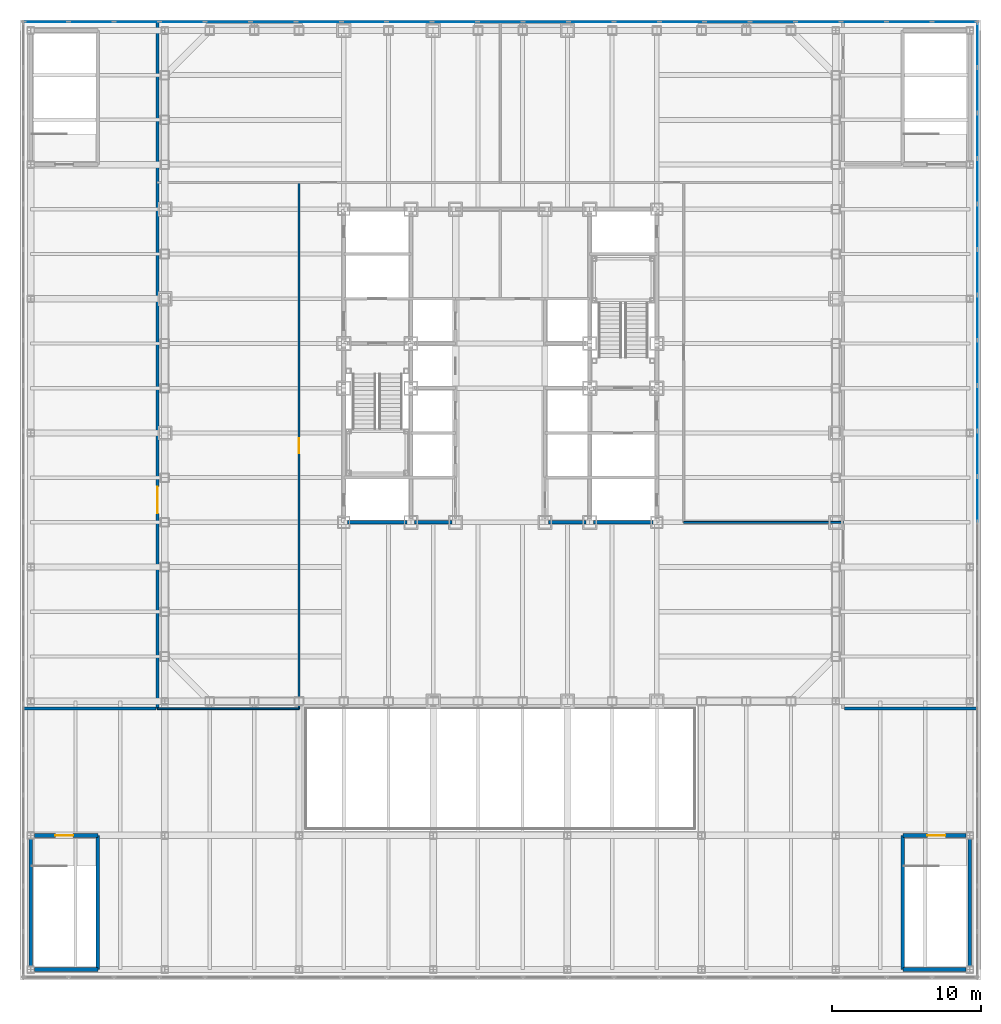
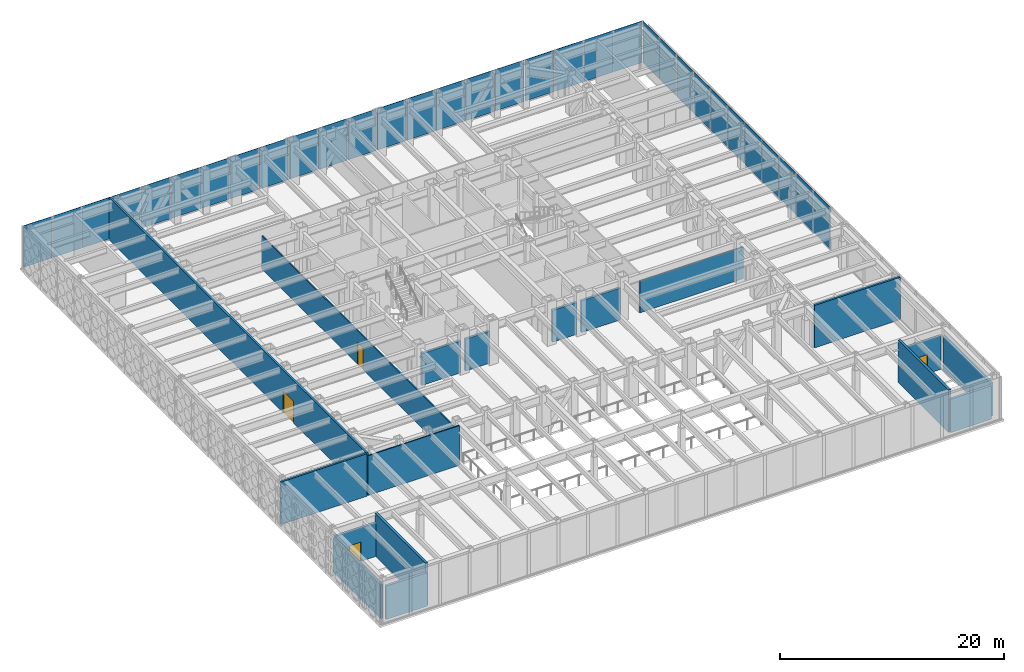
# One storey, part 13 of 24: 32 plates, 18 walls, 4 doors, 4 openings, 2 elements without a shape of their own.
"""IFC4 building model written with IfcOpenShell, lengths in metres."""

from ifc_helpers import new_model, si_unit, direction, frame, frame_2d, origin, origin_2d, place, context, subcontext, project, spatial, rectangle, extrude, material, layer, layer_set, type_object, element, fill, aggregate, save


model = new_model("IFC4")

# Units and contexts
model_context = context("Model", 3, precision=1e-05, world=origin(), true_north=direction((0.0, 1.0)))
body_context = subcontext(model_context, "Body", "Model", "MODEL_VIEW")
ifc_project = project(units=[si_unit("LENGTHUNIT", "METRE"), si_unit("AREAUNIT", "SQUARE_METRE"), si_unit("VOLUMEUNIT", "CUBIC_METRE"), si_unit("PLANEANGLEUNIT", "RADIAN"), si_unit("MASSUNIT", "GRAM", prefix="KILO")], contexts=[model_context])

# Site, building, storey
site_placement = place(None, origin())
site = spatial("IfcSite", under=ifc_project, at=site_placement, CompositionType="ELEMENT")
building_placement = place(site_placement, origin())
building = spatial("IfcBuilding", under=site, at=building_placement, Name="Chuquiago Exchange Tower", CompositionType="ELEMENT")
storey_placement = place(building_placement, frame((0.0, 0.0, 19.5)))
storey = spatial("IfcBuildingStorey", under=building, at=storey_placement, Name="L03", CompositionType="ELEMENT", Elevation=19.5)

# Curtain wall, plates
ifc_material_1 = material(Name="Aluminium curtain wall system", Category="aluminium")
ifc_layer_1 = layer(ifc_material_1, 0.300048828125)
ifc_layer_set_1 = layer_set([ifc_layer_1], Name="CW4 podium curtain wall")
curtain_wall_type = type_object("IfcCurtainWallType", Name="CW4 podium curtain wall", PredefinedType="NOTDEFINED", material=ifc_layer_set_1)
curtain_wall_1_placement = place(storey_placement, origin())
curtain_wall_1 = element("IfcCurtainWall", 1, at=curtain_wall_1_placement, inside=storey, type_object=curtain_wall_type, Name="CW4 curtain wall L03", PredefinedType="NOTDEFINED")
ifc_material_2 = material(Name="Glass, insulating unit", Category="glass")
ifc_layer_2 = layer(ifc_material_2, 0.035888671875)
ifc_layer_set_2 = layer_set([ifc_layer_2], Name="CW4-P panel 36")
plate_type_1 = type_object("IfcPlateType", Name="CW4-P panel 36", PredefinedType="CURTAIN_PANEL", material=ifc_layer_set_2)
plate_1_placement = place(storey_placement, frame((54.5, 13.53759765625, 0.074951171875), z_axis=(0.0, 0.0, 1.0), x_axis=(0.0, 1.0, 0.0)))
plate_1 = element("IfcPlate", 2, at=plate_1_placement, type_object=plate_type_1, Name="CW4 panel 11.1", PredefinedType="CURTAIN_PANEL", context=body_context, shape_type="SweptSolid", body=[
    extrude(rectangle(XDim=2.97607421875, YDim=0.035888671875, at=origin_2d()), origin(), (0.0, 0.0, 1.0), 4.52490234375),
])
plate_2_placement = place(storey_placement, frame((54.5, 16.588623046875, 0.074951171875), z_axis=(0.0, 0.0, 1.0), x_axis=(0.0, 1.0, 0.0)))
plate_2 = element("IfcPlate", 3, at=plate_2_placement, type_object=plate_type_1, Name="CW4 panel 12.1", PredefinedType="CURTAIN_PANEL", context=body_context, shape_type="SweptSolid", body=[
    extrude(rectangle(XDim=2.97607421875, YDim=0.035888671875, at=origin_2d()), origin(), (0.0, 0.0, 1.0), 4.52490234375),
])
plate_3_placement = place(storey_placement, frame((54.5, 19.639892578125, 0.074951171875), z_axis=(0.0, 0.0, 1.0), x_axis=(0.0, 1.0, 0.0)))
plate_3 = element("IfcPlate", 4, at=plate_3_placement, type_object=plate_type_1, Name="CW4 panel 13.1", PredefinedType="CURTAIN_PANEL", context=body_context, shape_type="SweptSolid", body=[
    extrude(rectangle(XDim=2.97607421875, YDim=0.035888671875, at=origin_2d()), origin(), (0.0, 0.0, 1.0), 4.52490234375),
])
plate_4_placement = place(storey_placement, frame((54.5, 22.691162109375, 0.074951171875), z_axis=(0.0, 0.0, 1.0), x_axis=(0.0, 1.0, 0.0)))
plate_4 = element("IfcPlate", 5, at=plate_4_placement, type_object=plate_type_1, Name="CW4 panel 14.1", PredefinedType="CURTAIN_PANEL", context=body_context, shape_type="SweptSolid", body=[
    extrude(rectangle(XDim=2.97607421875, YDim=0.035888671875, at=origin_2d()), origin(), (0.0, 0.0, 1.0), 4.52490234375),
])
plate_5_placement = place(storey_placement, frame((54.5, 25.7421875, 0.074951171875), z_axis=(0.0, 0.0, 1.0), x_axis=(0.0, 1.0, 0.0)))
plate_5 = element("IfcPlate", 6, at=plate_5_placement, type_object=plate_type_1, Name="CW4 panel 15.1", PredefinedType="CURTAIN_PANEL", context=body_context, shape_type="SweptSolid", body=[
    extrude(rectangle(XDim=2.97607421875, YDim=0.035888671875, at=origin_2d()), origin(), (0.0, 0.0, 1.0), 4.52490234375),
])
plate_6_placement = place(storey_placement, frame((54.5, 28.79345703125, 0.074951171875), z_axis=(0.0, 0.0, 1.0), x_axis=(0.0, 1.0, 0.0)))
plate_6 = element("IfcPlate", 7, at=plate_6_placement, type_object=plate_type_1, Name="CW4 panel 16.1", PredefinedType="CURTAIN_PANEL", context=body_context, shape_type="SweptSolid", body=[
    extrude(rectangle(XDim=2.97607421875, YDim=0.035888671875, at=origin_2d()), origin(), (0.0, 0.0, 1.0), 4.52490234375),
])
plate_7_placement = place(storey_placement, frame((54.5, 31.8447265625, 0.074951171875), z_axis=(0.0, 0.0, 1.0), x_axis=(0.0, 1.0, 0.0)))
plate_7 = element("IfcPlate", 8, at=plate_7_placement, type_object=plate_type_1, Name="CW4 panel 17.1", PredefinedType="CURTAIN_PANEL", context=body_context, shape_type="SweptSolid", body=[
    extrude(rectangle(XDim=2.97607421875, YDim=0.035888671875, at=origin_2d()), origin(), (0.0, 0.0, 1.0), 4.52490234375),
])
plate_8_placement = place(storey_placement, frame((54.5, 34.895751953125, 0.074951171875), z_axis=(0.0, 0.0, 1.0), x_axis=(0.0, 1.0, 0.0)))
plate_8 = element("IfcPlate", 9, at=plate_8_placement, type_object=plate_type_1, Name="CW4 panel 18.1", PredefinedType="CURTAIN_PANEL", context=body_context, shape_type="SweptSolid", body=[
    extrude(rectangle(XDim=2.97607421875, YDim=0.035888671875, at=origin_2d()), origin(), (0.0, 0.0, 1.0), 4.52490234375),
])
plate_9_placement = place(storey_placement, frame((54.5, 37.947021484375, 0.074951171875), z_axis=(0.0, 0.0, 1.0), x_axis=(0.0, 1.0, 0.0)))
plate_9 = element("IfcPlate", 10, at=plate_9_placement, type_object=plate_type_1, Name="CW4 panel 19.1", PredefinedType="CURTAIN_PANEL", context=body_context, shape_type="SweptSolid", body=[
    extrude(rectangle(XDim=2.97607421875, YDim=0.035888671875, at=origin_2d()), origin(), (0.0, 0.0, 1.0), 4.52490234375),
])
plate_10_placement = place(storey_placement, frame((54.5, 40.998291015625, 0.074951171875), z_axis=(0.0, 0.0, 1.0), x_axis=(0.0, 1.0, 0.0)))
plate_10 = element("IfcPlate", 11, at=plate_10_placement, type_object=plate_type_1, Name="CW4 panel 20.1", PredefinedType="CURTAIN_PANEL", context=body_context, shape_type="SweptSolid", body=[
    extrude(rectangle(XDim=2.97607421875, YDim=0.035888671875, at=origin_2d()), origin(), (0.0, 0.0, 1.0), 4.52490234375),
])
plate_11_placement = place(storey_placement, frame((54.5, 44.03076171875, 0.074951171875), z_axis=(0.0, 0.0, 1.0), x_axis=(0.0, 1.0, 0.0)))
plate_11 = element("IfcPlate", 12, at=plate_11_placement, type_object=plate_type_1, Name="CW4 panel 21.1", PredefinedType="CURTAIN_PANEL", context=body_context, shape_type="SweptSolid", body=[
    extrude(rectangle(XDim=2.938720703125, YDim=0.035888671875, at=origin_2d()), origin(), (0.0, 0.0, 1.0), 4.52490234375),
])
aggregate(curtain_wall_1, [plate_1, plate_2, plate_3, plate_4, plate_5, plate_6, plate_7, plate_8, plate_9, plate_10, plate_11])

curtain_wall_2_placement = place(storey_placement, origin())
curtain_wall_2 = element("IfcCurtainWall", 13, at=curtain_wall_2_placement, inside=storey, type_object=curtain_wall_type, Name="CW4 curtain wall L03", PredefinedType="NOTDEFINED")
plate_12_placement = place(storey_placement, frame((52.95751953125, 45.574951171875, 0.074951171875), z_axis=(0.0, 0.0, 1.0), x_axis=(-1.0, 0.0, 0.0)))
plate_12 = element("IfcPlate", 14, at=plate_12_placement, type_object=plate_type_1, Name="CW4 panel 1.1", PredefinedType="CURTAIN_PANEL", context=body_context, shape_type="SweptSolid", body=[
    extrude(rectangle(XDim=2.93505859375, YDim=0.035888671875, at=origin_2d()), origin(), (0.0, 0.0, 1.0), 4.52490234375),
])
plate_13_placement = place(storey_placement, frame((49.928466796875, 45.574951171875, 0.074951171875), z_axis=(0.0, 0.0, 1.0), x_axis=(-1.0, 0.0, 0.0)))
plate_13 = element("IfcPlate", 15, at=plate_13_placement, type_object=plate_type_1, Name="CW4 panel 2.1", PredefinedType="CURTAIN_PANEL", context=body_context, shape_type="SweptSolid", body=[
    extrude(rectangle(XDim=2.97265625, YDim=0.035888671875, at=origin_2d()), origin(), (0.0, 0.0, 1.0), 4.52490234375),
])
plate_14_placement = place(storey_placement, frame((46.880859375, 45.574951171875, 0.074951171875), z_axis=(0.0, 0.0, 1.0), x_axis=(-1.0, 0.0, 0.0)))
plate_14 = element("IfcPlate", 16, at=plate_14_placement, type_object=plate_type_1, Name="CW4 panel 3.1", PredefinedType="CURTAIN_PANEL", context=body_context, shape_type="SweptSolid", body=[
    extrude(rectangle(XDim=2.97265625, YDim=0.035888671875, at=origin_2d()), origin(), (0.0, 0.0, 1.0), 4.52490234375),
])
plate_15_placement = place(storey_placement, frame((43.833251953125, 45.574951171875, 0.074951171875), z_axis=(0.0, 0.0, 1.0), x_axis=(-1.0, 0.0, 0.0)))
plate_15 = element("IfcPlate", 17, at=plate_15_placement, type_object=plate_type_1, Name="CW4 panel 4.1", PredefinedType="CURTAIN_PANEL", context=body_context, shape_type="SweptSolid", body=[
    extrude(rectangle(XDim=2.97265625, YDim=0.035888671875, at=origin_2d()), origin(), (0.0, 0.0, 1.0), 4.52490234375),
])
plate_16_placement = place(storey_placement, frame((31.642822265625, 45.574951171875, 0.074951171875), z_axis=(0.0, 0.0, 1.0), x_axis=(-1.0, 0.0, 0.0)))
plate_16 = element("IfcPlate", 18, at=plate_16_placement, type_object=plate_type_1, Name="CW4 panel 8.1", PredefinedType="CURTAIN_PANEL", context=body_context, shape_type="SweptSolid", body=[
    extrude(rectangle(XDim=2.97265625, YDim=0.035888671875, at=origin_2d()), origin(), (0.0, 0.0, 1.0), 4.52490234375),
])
plate_17_placement = place(storey_placement, frame((28.59521484375, 45.574951171875, 0.074951171875), z_axis=(0.0, 0.0, 1.0), x_axis=(-1.0, 0.0, 0.0)))
plate_17 = element("IfcPlate", 19, at=plate_17_placement, type_object=plate_type_1, Name="CW4 panel 9.1", PredefinedType="CURTAIN_PANEL", context=body_context, shape_type="SweptSolid", body=[
    extrude(rectangle(XDim=2.97265625, YDim=0.035888671875, at=origin_2d()), origin(), (0.0, 0.0, 1.0), 4.52490234375),
])
plate_18_placement = place(storey_placement, frame((19.452392578125, 45.574951171875, 0.074951171875), z_axis=(0.0, 0.0, 1.0), x_axis=(-1.0, 0.0, 0.0)))
plate_18 = element("IfcPlate", 20, at=plate_18_placement, type_object=plate_type_1, Name="CW4 panel 12.1", PredefinedType="CURTAIN_PANEL", context=body_context, shape_type="SweptSolid", body=[
    extrude(rectangle(XDim=2.97265625, YDim=0.035888671875, at=origin_2d()), origin(), (0.0, 0.0, 1.0), 4.52490234375),
])
plate_19_placement = place(storey_placement, frame((16.40478515625, 45.574951171875, 0.074951171875), z_axis=(0.0, 0.0, 1.0), x_axis=(-1.0, 0.0, 0.0)))
plate_19 = element("IfcPlate", 21, at=plate_19_placement, type_object=plate_type_1, Name="CW4 panel 13.1", PredefinedType="CURTAIN_PANEL", context=body_context, shape_type="SweptSolid", body=[
    extrude(rectangle(XDim=2.97265625, YDim=0.035888671875, at=origin_2d()), origin(), (0.0, 0.0, 1.0), 4.52490234375),
])
plate_20_placement = place(storey_placement, frame((13.357177734375, 45.574951171875, 0.074951171875), z_axis=(0.0, 0.0, 1.0), x_axis=(-1.0, 0.0, 0.0)))
plate_20 = element("IfcPlate", 22, at=plate_20_placement, type_object=plate_type_1, Name="CW4 panel 14.1", PredefinedType="CURTAIN_PANEL", context=body_context, shape_type="SweptSolid", body=[
    extrude(rectangle(XDim=2.97265625, YDim=0.035888671875, at=origin_2d()), origin(), (0.0, 0.0, 1.0), 4.52490234375),
])
plate_21_placement = place(storey_placement, frame((1.166748046875, 45.574951171875, 0.074951171875), z_axis=(0.0, 0.0, 1.0), x_axis=(-1.0, 0.0, 0.0)))
plate_21 = element("IfcPlate", 23, at=plate_21_placement, type_object=plate_type_1, Name="CW4 panel 18.1", PredefinedType="CURTAIN_PANEL", context=body_context, shape_type="SweptSolid", body=[
    extrude(rectangle(XDim=2.97265625, YDim=0.035888671875, at=origin_2d()), origin(), (0.0, 0.0, 1.0), 4.52490234375),
])
plate_22_placement = place(storey_placement, frame((-1.880859375, 45.574951171875, 0.074951171875), z_axis=(0.0, 0.0, 1.0), x_axis=(-1.0, 0.0, 0.0)))
plate_22 = element("IfcPlate", 24, at=plate_22_placement, type_object=plate_type_1, Name="CW4 panel 19.1", PredefinedType="CURTAIN_PANEL", context=body_context, shape_type="SweptSolid", body=[
    extrude(rectangle(XDim=2.97265625, YDim=0.035888671875, at=origin_2d()), origin(), (0.0, 0.0, 1.0), 4.52490234375),
])
plate_23_placement = place(storey_placement, frame((-4.928466796875, 45.574951171875, 0.074951171875), z_axis=(0.0, 0.0, 1.0), x_axis=(-1.0, 0.0, 0.0)))
plate_23 = element("IfcPlate", 25, at=plate_23_placement, type_object=plate_type_1, Name="CW4 panel 20.1", PredefinedType="CURTAIN_PANEL", context=body_context, shape_type="SweptSolid", body=[
    extrude(rectangle(XDim=2.97265625, YDim=0.035888671875, at=origin_2d()), origin(), (0.0, 0.0, 1.0), 4.52490234375),
])
plate_24_placement = place(storey_placement, frame((-7.95751953125, 45.574951171875, 0.074951171875), z_axis=(0.0, 0.0, 1.0), x_axis=(-1.0, 0.0, 0.0)))
plate_24 = element("IfcPlate", 26, at=plate_24_placement, type_object=plate_type_1, Name="CW4 panel 21.1", PredefinedType="CURTAIN_PANEL", context=body_context, shape_type="SweptSolid", body=[
    extrude(rectangle(XDim=2.93505859375, YDim=0.035888671875, at=origin_2d()), origin(), (0.0, 0.0, 1.0), 4.52490234375),
])
ifc_material_3 = material(Name="Insulated spandrel panel, pale anodised aluminium", Category="aluminium")
ifc_layer_3 = layer(ifc_material_3, 0.035888671875)
ifc_layer_set_3 = layer_set([ifc_layer_3], Name="CW4-P spandrel panel 36")
plate_type_2 = type_object("IfcPlateType", Name="CW4-P spandrel panel 36", PredefinedType="CURTAIN_PANEL", material=ifc_layer_set_3)
plate_25_placement = place(storey_placement, frame((40.78564453125, 45.574951171875, 0.074951171875), z_axis=(0.0, 0.0, 1.0), x_axis=(-1.0, 0.0, 0.0)))
plate_25 = element("IfcPlate", 27, at=plate_25_placement, type_object=plate_type_2, Name="CW4 panel 5.1", PredefinedType="CURTAIN_PANEL", context=body_context, shape_type="SweptSolid", body=[
    extrude(rectangle(XDim=2.97265625, YDim=0.035888671875, at=origin_2d()), origin(), (0.0, 0.0, 1.0), 4.52490234375),
])
plate_26_placement = place(storey_placement, frame((37.738037109375, 45.574951171875, 0.074951171875), z_axis=(0.0, 0.0, 1.0), x_axis=(-1.0, 0.0, 0.0)))
plate_26 = element("IfcPlate", 28, at=plate_26_placement, type_object=plate_type_2, Name="CW4 panel 6.1", PredefinedType="CURTAIN_PANEL", context=body_context, shape_type="SweptSolid", body=[
    extrude(rectangle(XDim=2.97265625, YDim=0.035888671875, at=origin_2d()), origin(), (0.0, 0.0, 1.0), 4.52490234375),
])
plate_27_placement = place(storey_placement, frame((34.6904296875, 45.574951171875, 0.074951171875), z_axis=(0.0, 0.0, 1.0), x_axis=(-1.0, 0.0, 0.0)))
plate_27 = element("IfcPlate", 29, at=plate_27_placement, type_object=plate_type_2, Name="CW4 panel 7.1", PredefinedType="CURTAIN_PANEL", context=body_context, shape_type="SweptSolid", body=[
    extrude(rectangle(XDim=2.97265625, YDim=0.035888671875, at=origin_2d()), origin(), (0.0, 0.0, 1.0), 4.52490234375),
])
plate_28_placement = place(storey_placement, frame((25.547607421875, 45.574951171875, 0.074951171875), z_axis=(0.0, 0.0, 1.0), x_axis=(-1.0, 0.0, 0.0)))
plate_28 = element("IfcPlate", 30, at=plate_28_placement, type_object=plate_type_2, Name="CW4 panel 10.1", PredefinedType="CURTAIN_PANEL", context=body_context, shape_type="SweptSolid", body=[
    extrude(rectangle(XDim=2.97265625, YDim=0.035888671875, at=origin_2d()), origin(), (0.0, 0.0, 1.0), 4.52490234375),
])
plate_29_placement = place(storey_placement, frame((22.5, 45.574951171875, 0.074951171875), z_axis=(0.0, 0.0, 1.0), x_axis=(-1.0, 0.0, 0.0)))
plate_29 = element("IfcPlate", 31, at=plate_29_placement, type_object=plate_type_2, Name="CW4 panel 11.1", PredefinedType="CURTAIN_PANEL", context=body_context, shape_type="SweptSolid", body=[
    extrude(rectangle(XDim=2.97265625, YDim=0.035888671875, at=origin_2d()), origin(), (0.0, 0.0, 1.0), 4.52490234375),
])
plate_30_placement = place(storey_placement, frame((10.3095703125, 45.574951171875, 0.074951171875), z_axis=(0.0, 0.0, 1.0), x_axis=(-1.0, 0.0, 0.0)))
plate_30 = element("IfcPlate", 32, at=plate_30_placement, type_object=plate_type_2, Name="CW4 panel 15.1", PredefinedType="CURTAIN_PANEL", context=body_context, shape_type="SweptSolid", body=[
    extrude(rectangle(XDim=2.97265625, YDim=0.035888671875, at=origin_2d()), origin(), (0.0, 0.0, 1.0), 4.52490234375),
])
plate_31_placement = place(storey_placement, frame((7.261962890625, 45.574951171875, 0.074951171875), z_axis=(0.0, 0.0, 1.0), x_axis=(-1.0, 0.0, 0.0)))
plate_31 = element("IfcPlate", 33, at=plate_31_placement, type_object=plate_type_2, Name="CW4 panel 16.1", PredefinedType="CURTAIN_PANEL", context=body_context, shape_type="SweptSolid", body=[
    extrude(rectangle(XDim=2.97265625, YDim=0.035888671875, at=origin_2d()), origin(), (0.0, 0.0, 1.0), 4.52490234375),
])
plate_32_placement = place(storey_placement, frame((4.21435546875, 45.574951171875, 0.074951171875), z_axis=(0.0, 0.0, 1.0), x_axis=(-1.0, 0.0, 0.0)))
plate_32 = element("IfcPlate", 34, at=plate_32_placement, type_object=plate_type_2, Name="CW4 panel 17.1", PredefinedType="CURTAIN_PANEL", context=body_context, shape_type="SweptSolid", body=[
    extrude(rectangle(XDim=2.97265625, YDim=0.035888671875, at=origin_2d()), origin(), (0.0, 0.0, 1.0), 4.52490234375),
])
aggregate(curtain_wall_2, [plate_12, plate_13, plate_14, plate_15, plate_25, plate_26, plate_27, plate_16, plate_17, plate_28, plate_29, plate_18, plate_19, plate_20, plate_30, plate_31, plate_32, plate_21, plate_22, plate_23, plate_24])

# Walls
ifc_material_4 = material(Name="Concrete masonry, fully grouted", Category="masonry")
ifc_layer_4 = layer(ifc_material_4, 0.25)
ifc_layer_set_4 = layer_set([ifc_layer_4], Name="W1 core wall 250")
wall_type_1 = type_object("IfcWallType", Name="W1 core wall 250", PredefinedType="SOLIDWALL", material=ifc_layer_set_4)
wall_1_placement = place(storey_placement, frame((12.25, 12.0, 0.0), z_axis=(0.0, 0.0, 1.0), x_axis=(1.0, 0.0, 0.0)))
element("IfcWall", 35, at=wall_1_placement, inside=storey, type_object=wall_type_1, Name="CW-L03-01-0", PredefinedType="SOLIDWALL", context=body_context, shape_type="SweptSolid", body=[
    extrude(rectangle(XDim=4.0, YDim=0.25, at=frame_2d((2.0, 0.0))), origin(), (0.0, 0.0, 1.0), 3.4814453125),
])
for number, where, z_axis, x_axis, name in (
    (36, (16.75, 12.0, 0.0), (0.0, 0.0, 1.0), (1.0, 0.0, 0.0), "CW-L03-01-1"),
    (37, (25.75, 12.0, 0.0), (0.0, 0.0, 1.0), (1.0, 0.0, 0.0), "CW-L03-02-0"),
):
    element("IfcWall", number, at=place(storey_placement, frame(where, z_axis=z_axis, x_axis=x_axis)), inside=storey, type_object=wall_type_1, Name=name, PredefinedType="SOLIDWALL", context=body_context, shape_type="SweptSolid", body=[
        extrude(rectangle(XDim=2.5, YDim=0.25, at=frame_2d((1.25, 0.0))), origin(), (0.0, 0.0, 1.0), 3.4814453125),
    ])
wall_2_placement = place(storey_placement, frame((28.75, 12.0, 0.0), z_axis=(0.0, 0.0, 1.0), x_axis=(1.0, 0.0, 0.0)))
element("IfcWall", 38, at=wall_2_placement, inside=storey, type_object=wall_type_1, Name="CW-L03-02-1", PredefinedType="SOLIDWALL", context=body_context, shape_type="SweptSolid", body=[
    extrude(rectangle(XDim=4.0, YDim=0.25, at=frame_2d((2.0, 0.0))), origin(), (0.0, 0.0, 1.0), 3.4814453125),
])
ifc_material_5 = material(Name="Concrete masonry, fully grouted", Category="masonry")
ifc_layer_5 = layer(ifc_material_5, 0.25)
ifc_layer_set_5 = layer_set([ifc_layer_5], Name="W10 podium stair wall 250")
wall_type_2 = type_object("IfcWallType", Name="W10 podium stair wall 250", PredefinedType="SOLIDWALL", material=ifc_layer_set_5)
wall_3_placement = place(storey_placement, frame((-8.75, -18.0, 0.0), z_axis=(0.0, 0.0, 1.0), x_axis=(1.0, 0.0, 0.0)))
element("IfcWall", 39, at=wall_3_placement, inside=storey, type_object=wall_type_2, Name="PSW-L03-PS1-00", PredefinedType="SOLIDWALL", context=body_context, shape_type="SweptSolid", body=[
    extrude(rectangle(XDim=4.25, YDim=0.25, at=frame_2d((2.125, 0.0))), origin(), (0.0, 0.0, 1.0), 3.652587890625),
])
wall_4_placement = place(storey_placement, frame((-4.5, -18.0, 0.0), z_axis=(0.0, 0.0, 1.0), x_axis=(0.0, 1.0, 0.0)))
element("IfcWall", 40, at=wall_4_placement, inside=storey, type_object=wall_type_2, Name="PSW-L03-PS1-10", PredefinedType="SOLIDWALL", context=body_context, shape_type="SweptSolid", body=[
    extrude(rectangle(XDim=9.0, YDim=0.25, at=frame_2d((4.5, 0.0))), origin(), (0.0, 0.0, 1.0), 4.639892578125),
])

# Wall, opening, door
wall_5_placement = place(storey_placement, frame((-8.75, -9.0, 0.0), z_axis=(0.0, 0.0, 1.0), x_axis=(1.0, 0.0, 0.0)))
wall_5 = element("IfcWall", 41, at=wall_5_placement, inside=storey, type_object=wall_type_2, Name="PSW-L03-PS1-20", PredefinedType="SOLIDWALL", context=body_context, shape_type="SweptSolid", body=[
    extrude(rectangle(XDim=4.25, YDim=0.25, at=frame_2d((2.125, 0.0))), origin(), (0.0, 0.0, 1.0), 3.652587890625),
])
opening_1_placement = place(wall_5_placement, frame((1.39990234375, 0.0, 0.0)))
opening_1 = element("IfcOpeningElement", 42, at=opening_1_placement, cuts=wall_5, Name="Opening L03-026", PredefinedType="OPENING", context=body_context, shape_type="SweptSolid", body=[
    extrude(rectangle(XDim=1.199951171875, YDim=2.10009765625, at=frame_2d((0.60009765625, 1.050048828125))), frame((0.0, 0.135009765625, 0.0), z_axis=(0.0, -1.0, 0.0), x_axis=(1.0, 0.0, 0.0)), (0.0, 0.0, 1.0), 0.27001953125),
])
ifc_material_6 = material(Name="Steel door, painted", Category="steel")
door_type_1 = type_object("IfcDoorType", Name="D4 stair door 1200x2100", OperationType="SINGLE_SWING_LEFT", PredefinedType="DOOR", material=ifc_material_6)
door_1_placement = place(opening_1_placement, frame((1.199951171875, 0.0, 0.0), z_axis=(0.0, 0.0, 1.0), x_axis=(-1.0, 0.0, 0.0)))
door_1 = element("IfcDoor", 43, at=door_1_placement, inside=storey, type_object=door_type_1, Name="Stair PS1 door", OperationType="SINGLE_SWING_RIGHT", OverallHeight=2.10009765625, OverallWidth=1.199951171875, PredefinedType="DOOR", context=body_context, shape_type="SweptSolid", body=[
    extrude(rectangle(XDim=1.199951171875, YDim=2.10009765625, at=frame_2d((0.60009765625, 1.050048828125))), frame((0.0, 0.02490234375, 0.0), z_axis=(0.0, -1.0, 0.0), x_axis=(1.0, 0.0, 0.0)), (0.0, 0.0, 1.0), 0.050048828125),
])
fill(opening_1, door_1)

# Walls
wall_6_placement = place(storey_placement, frame((-9.0, -17.75, 0.0), z_axis=(0.0, 0.0, 1.0), x_axis=(0.0, 1.0, 0.0)))
element("IfcWall", 44, at=wall_6_placement, inside=storey, type_object=wall_type_2, Name="PSW-L03-PS1-30", PredefinedType="SOLIDWALL", context=body_context, shape_type="SweptSolid", body=[
    extrude(rectangle(XDim=8.5, YDim=0.25, at=frame_2d((4.25, 0.0))), origin(), (0.0, 0.0, 1.0), 3.652587890625),
])
wall_7_placement = place(storey_placement, frame((49.5, -18.0, 0.0), z_axis=(0.0, 0.0, 1.0), x_axis=(1.0, 0.0, 0.0)))
element("IfcWall", 45, at=wall_7_placement, inside=storey, type_object=wall_type_2, Name="PSW-L03-PS2-00", PredefinedType="SOLIDWALL", context=body_context, shape_type="SweptSolid", body=[
    extrude(rectangle(XDim=4.25, YDim=0.25, at=frame_2d((2.125, 0.0))), origin(), (0.0, 0.0, 1.0), 3.652587890625),
])
wall_8_placement = place(storey_placement, frame((54.0, -17.75, 0.0), z_axis=(0.0, 0.0, 1.0), x_axis=(0.0, 1.0, 0.0)))
element("IfcWall", 46, at=wall_8_placement, inside=storey, type_object=wall_type_2, Name="PSW-L03-PS2-10", PredefinedType="SOLIDWALL", context=body_context, shape_type="SweptSolid", body=[
    extrude(rectangle(XDim=8.5, YDim=0.25, at=frame_2d((4.25, 0.0))), origin(), (0.0, 0.0, 1.0), 3.652587890625),
])

# Wall, opening, door
wall_9_placement = place(storey_placement, frame((49.5, -9.0, 0.0), z_axis=(0.0, 0.0, 1.0), x_axis=(1.0, 0.0, 0.0)))
wall_9 = element("IfcWall", 47, at=wall_9_placement, inside=storey, type_object=wall_type_2, Name="PSW-L03-PS2-20", PredefinedType="SOLIDWALL", context=body_context, shape_type="SweptSolid", body=[
    extrude(rectangle(XDim=4.25, YDim=0.25, at=frame_2d((2.125, 0.0))), origin(), (0.0, 0.0, 1.0), 3.652587890625),
])
opening_2_placement = place(wall_9_placement, frame((1.64990234375, 0.0, 0.0)))
opening_2 = element("IfcOpeningElement", 48, at=opening_2_placement, cuts=wall_9, Name="Opening L03-027", PredefinedType="OPENING", context=body_context, shape_type="SweptSolid", body=[
    extrude(rectangle(XDim=1.199951171875, YDim=2.10009765625, at=frame_2d((0.60009765625, 1.050048828125))), frame((0.0, 0.135009765625, 0.0), z_axis=(0.0, -1.0, 0.0), x_axis=(1.0, 0.0, 0.0)), (0.0, 0.0, 1.0), 0.27001953125),
])
door_2_placement = place(opening_2_placement, frame((1.199951171875, 0.0, 0.0), z_axis=(0.0, 0.0, 1.0), x_axis=(-1.0, 0.0, 0.0)))
door_2 = element("IfcDoor", 49, at=door_2_placement, inside=storey, type_object=door_type_1, Name="Stair PS2 door", OperationType="SINGLE_SWING_LEFT", OverallHeight=2.10009765625, OverallWidth=1.199951171875, PredefinedType="DOOR", context=body_context, shape_type="SweptSolid", body=[
    extrude(rectangle(XDim=1.199951171875, YDim=2.10009765625, at=frame_2d((0.60009765625, 1.050048828125))), frame((0.0, 0.02490234375, 0.0), z_axis=(0.0, -1.0, 0.0), x_axis=(1.0, 0.0, 0.0)), (0.0, 0.0, 1.0), 0.050048828125),
])
fill(opening_2, door_2)

# Wall
wall_10_placement = place(storey_placement, frame((49.5, -18.0, 0.0), z_axis=(0.0, 0.0, 1.0), x_axis=(0.0, 1.0, 0.0)))
element("IfcWall", 50, at=wall_10_placement, inside=storey, type_object=wall_type_2, Name="PSW-L03-PS2-30", PredefinedType="SOLIDWALL", context=body_context, shape_type="SweptSolid", body=[
    extrude(rectangle(XDim=9.0, YDim=0.25, at=frame_2d((4.5, 0.0))), origin(), (0.0, 0.0, 1.0), 4.639892578125),
])

# Wall, opening, door
ifc_material_7 = material(Name="Gypsum board on steel studs", Category="steel")
ifc_layer_6 = layer(ifc_material_7, 0.1201171875)
ifc_layer_set_6 = layer_set([ifc_layer_6], Name="W4 partition 120")
wall_type_3 = type_object("IfcWallType", Name="W4 partition 120", PredefinedType="PARTITIONING", material=ifc_layer_set_6)
wall_11_placement = place(storey_placement, frame((9.0, -0.5, 0.0), z_axis=(0.0, 0.0, 1.0), x_axis=(0.0, 1.0, 0.0)))
wall_11 = element("IfcWall", 51, at=wall_11_placement, inside=storey, type_object=wall_type_3, Name="PW-L03-P2", PredefinedType="PARTITIONING", context=body_context, shape_type="SweptSolid", body=[
    extrude(rectangle(XDim=35.300048828125, YDim=0.1201171875, at=frame_2d((17.64990234375, 0.0))), origin(), (0.0, 0.0, 1.0), 3.652587890625),
])
opening_3_placement = place(wall_11_placement, frame((17.14990234375, 0.0, 0.0)))
opening_3 = element("IfcOpeningElement", 52, at=opening_3_placement, cuts=wall_11, Name="Opening L03-021", PredefinedType="OPENING", context=body_context, shape_type="SweptSolid", body=[
    extrude(rectangle(XDim=1.0, YDim=2.39990234375, at=frame_2d((0.5, 1.199951171875))), frame((0.0, 0.070068359375, 0.0), z_axis=(0.0, -1.0, 0.0), x_axis=(1.0, 0.0, 0.0)), (0.0, 0.0, 1.0), 0.14013671875),
])
ifc_material_8 = material(Name="Timber door, laminate faced", Category="wood")
door_type_2 = type_object("IfcDoorType", Name="D9 room door 1000x2400", OperationType="SINGLE_SWING_LEFT", PredefinedType="DOOR", material=ifc_material_8)
door_3_placement = place(opening_3_placement, origin())
door_3 = element("IfcDoor", 53, at=door_3_placement, inside=storey, type_object=door_type_2, Name="Market surveillance centre door", OperationType="SINGLE_SWING_LEFT", OverallHeight=2.39990234375, OverallWidth=1.0, PredefinedType="DOOR", context=body_context, shape_type="SweptSolid", body=[
    extrude(rectangle(XDim=1.0, YDim=2.39990234375, at=frame_2d((0.5, 1.199951171875))), frame((0.0, 0.02490234375, 0.0), z_axis=(0.0, -1.0, 0.0), x_axis=(1.0, 0.0, 0.0)), (0.0, 0.0, 1.0), 0.050048828125),
])
fill(opening_3, door_3)

# Walls
wall_12_placement = place(storey_placement, frame((34.800048828125, 12.0, 0.0), z_axis=(0.0, 0.0, 1.0), x_axis=(1.0, 0.0, 0.0)))
element("IfcWall", 54, at=wall_12_placement, inside=storey, type_object=wall_type_3, Name="PW-L03-Q1", PredefinedType="PARTITIONING", context=body_context, shape_type="SweptSolid", body=[
    extrude(rectangle(XDim=10.699951171875, YDim=0.1201171875, at=frame_2d((5.35009765625, 0.0))), origin(), (0.0, 0.0, 1.0), 3.4814453125),
])
wall_13_placement = place(storey_placement, frame((-0.5, -0.5, 0.0), z_axis=(0.0, 0.0, 1.0), x_axis=(1.0, 0.0, 0.0)))
element("IfcWall", 55, at=wall_13_placement, inside=storey, type_object=wall_type_3, Name="PW-L03-Q2", PredefinedType="PARTITIONING", context=body_context, shape_type="SweptSolid", body=[
    extrude(rectangle(XDim=9.5, YDim=0.1201171875, at=frame_2d((4.75, 0.0))), origin(), (0.0, 0.0, 1.0), 4.340087890625),
])

# Wall, opening, door
ifc_material_9 = material(Name="Gypsum board on steel studs, double layer", Category="steel")
ifc_layer_7 = layer(ifc_material_9, 0.199951171875)
ifc_layer_set_7 = layer_set([ifc_layer_7], Name="W6 wing partition 200")
wall_type_4 = type_object("IfcWallType", Name="W6 wing partition 200", PredefinedType="PARTITIONING", material=ifc_layer_set_7)
wall_14_placement = place(storey_placement, frame((-0.5, -0.5, 0.0), z_axis=(0.0, 0.0, 1.0), x_axis=(0.0, 1.0, 0.0)))
wall_14 = element("IfcWall", 56, at=wall_14_placement, inside=storey, type_object=wall_type_4, Name="WW-L03-W", PredefinedType="PARTITIONING", context=body_context, shape_type="SweptSolid", body=[
    extrude(rectangle(XDim=46.017578125, YDim=0.199951171875, at=frame_2d((23.0087890625, 0.0))), origin(), (0.0, 0.0, 1.0), 4.639892578125),
])
opening_4_placement = place(wall_14_placement, frame((13.10009765625, 0.0, 0.0)))
opening_4 = element("IfcOpeningElement", 57, at=opening_4_placement, cuts=wall_14, Name="Opening L03-024", PredefinedType="OPENING", context=body_context, shape_type="SweptSolid", body=[
    extrude(rectangle(XDim=1.800048828125, YDim=2.39990234375, at=frame_2d((0.89990234375, 1.199951171875))), frame((0.0, 0.10986328125, 0.0), z_axis=(0.0, -1.0, 0.0), x_axis=(1.0, 0.0, 0.0)), (0.0, 0.0, 1.0), 0.219970703125),
])
ifc_material_10 = material(Name="Timber door, laminate faced", Category="wood")
door_type_3 = type_object("IfcDoorType", Name="D10 double door 1800x2400", OperationType="DOUBLE_DOOR_DOUBLE_SWING", PredefinedType="DOOR", material=ifc_material_10)
door_4_placement = place(opening_4_placement, origin())
door_4 = element("IfcDoor", 58, at=door_4_placement, inside=storey, type_object=door_type_3, Name="Technology operations office door", OperationType="DOUBLE_DOOR_DOUBLE_SWING", OverallHeight=2.39990234375, OverallWidth=1.800048828125, PredefinedType="DOOR", context=body_context, shape_type="SweptSolid", body=[
    extrude(rectangle(XDim=1.800048828125, YDim=2.39990234375, at=frame_2d((0.89990234375, 1.199951171875))), frame((0.0, 0.02490234375, 0.0), z_axis=(0.0, -1.0, 0.0), x_axis=(1.0, 0.0, 0.0)), (0.0, 0.0, 1.0), 0.050048828125),
])
fill(opening_4, door_4)

# Walls
for number, where, z_axis, x_axis, name in (
    (59, (-9.468017578125, -0.5, 0.0), (0.0, 0.0, 1.0), (1.0, 0.0, 0.0), "WW-L03-SW"),
    (60, (45.60009765625, -0.5, 0.0), (0.0, 0.0, 1.0), (1.0, 0.0, 0.0), "WW-L03-SE"),
):
    element("IfcWall", number, at=place(storey_placement, frame(where, z_axis=z_axis, x_axis=x_axis)), inside=storey, type_object=wall_type_4, Name=name, PredefinedType="PARTITIONING", context=body_context, shape_type="SweptSolid", body=[
        extrude(rectangle(XDim=8.867919921875, YDim=0.199951171875, at=frame_2d((4.43408203125, 0.0))), origin(), (0.0, 0.0, 1.0), 4.639892578125),
    ])

save(model, "model.ifc")
